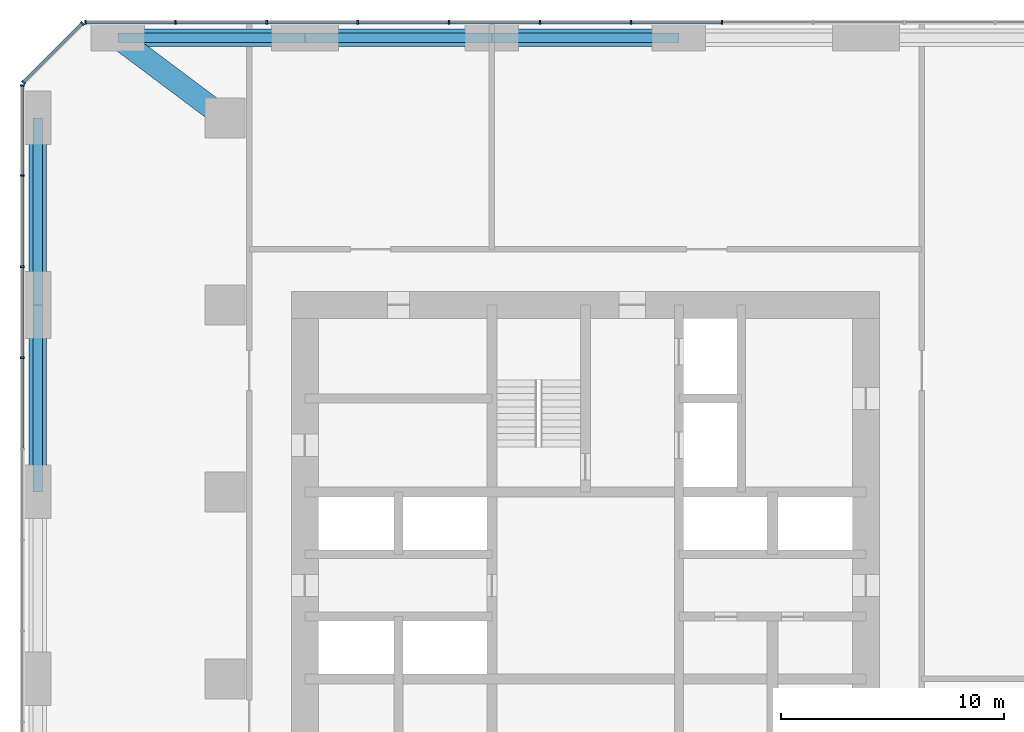
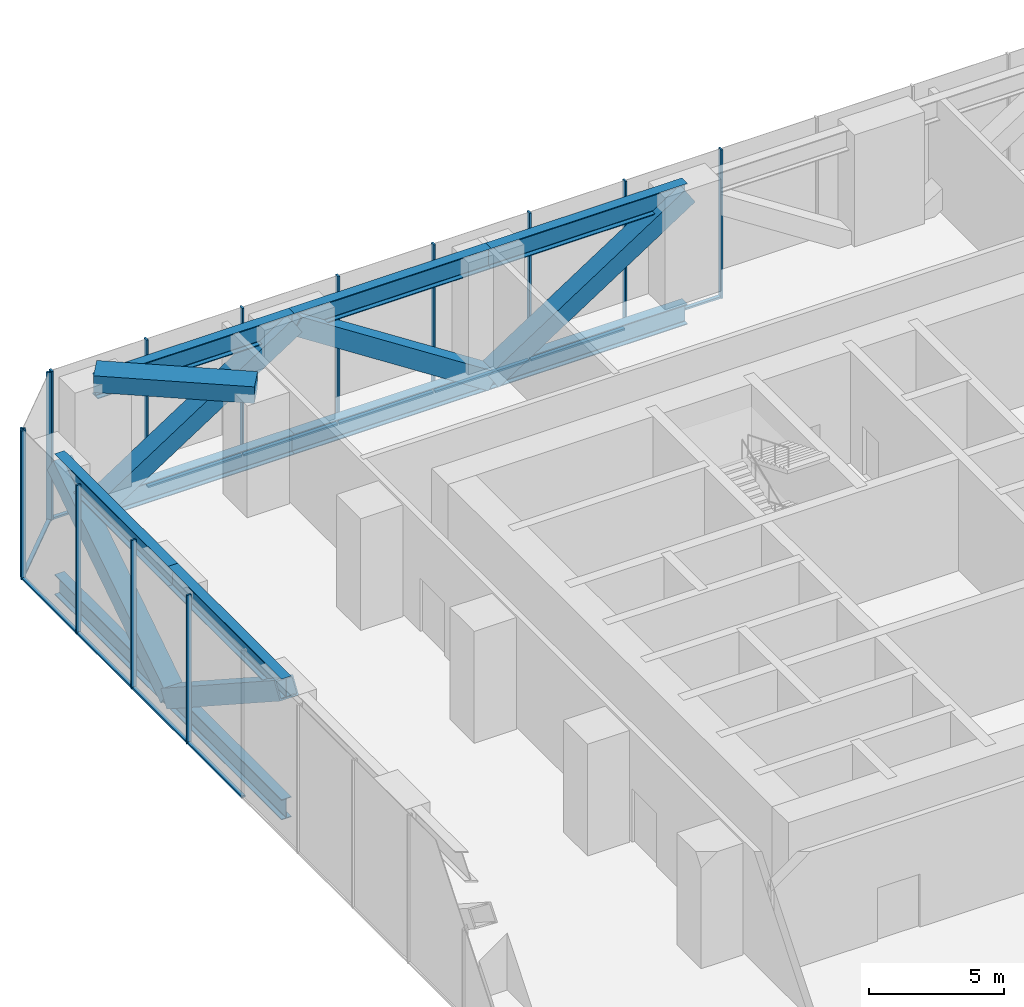
# One storey, part 5 of 10: 41 members, 1 beam, 3 elements without a shape of their own.
"""IFC4 building model written with IfcOpenShell, lengths in metres."""

from ifc_helpers import new_model, si_unit, direction, frame, origin, origin_2d, place, context, subcontext, project, spatial, rectangle, hollow_rectangle, i_section, extrude, material, material_profile, profile_set, type_object, element, aggregate, save


model = new_model("IFC4")

# Units and contexts
model_context = context("Model", 3, precision=1e-05, world=origin(), true_north=direction((0.0, 1.0)))
body_context = subcontext(model_context, "Body", "Model", "MODEL_VIEW")
ifc_project = project(units=[si_unit("LENGTHUNIT", "METRE"), si_unit("AREAUNIT", "SQUARE_METRE"), si_unit("VOLUMEUNIT", "CUBIC_METRE"), si_unit("PLANEANGLEUNIT", "RADIAN"), si_unit("MASSUNIT", "GRAM", prefix="KILO")], contexts=[model_context])

# Site, building, storey
site_placement = place(None, origin())
site = spatial("IfcSite", under=ifc_project, at=site_placement, CompositionType="ELEMENT")
building_placement = place(site_placement, origin())
building = spatial("IfcBuilding", under=site, at=building_placement, Name="Dunama Terrace Hotel", CompositionType="ELEMENT")
storey_placement = place(building_placement, frame((0.0, 0.0, 220.199951171875)))
storey = spatial("IfcBuildingStorey", under=building, at=storey_placement, Name="L57", CompositionType="ELEMENT", Elevation=220.199951171875)

# Members
ifc_material_1 = material(Name="Steel S355", Category="steel")
ifc_material_profile_1 = material_profile(ifc_material_1, hollow_rectangle(XDim=0.800048828125, YDim=0.800048828125, WallThickness=0.06005859375, at=origin_2d()), Name="BOX 800x800x60")
ifc_profile_set_1 = profile_set([ifc_material_profile_1], Name="Steel S355")
member_type_1 = type_object("IfcMemberType", Name="Brace BOX 800x800x60", PredefinedType="BRACE", material=ifc_profile_set_1)
for number, where, z_axis, x_axis, name in (
    (1, (4.800048828125, 42.0, -0.8603515625), (0.0, -0.83889900313, 0.544287114075), (1.0, 0.0, 0.0), "Belt truss diagonal L57"),
    (2, (4.800048828125, 42.0, -0.8603515625), (0.0, 0.83889900313, 0.544287114075), (-1.0, 0.0, 0.0), "Belt truss diagonal L57"),
):
    element("IfcMember", number, at=place(storey_placement, frame(where, z_axis=z_axis, x_axis=x_axis)), inside=storey, type_object=member_type_1, Name=name, PredefinedType="BRACE", context=body_context, shape_type="SweptSolid", body=[
        extrude(hollow_rectangle(XDim=0.800048828125, YDim=0.800048828125, WallThickness=0.06005859375, at=origin_2d()), origin(), (0.0, 0.0, 1.0), 10.012939453125),
    ])
member_1_placement = place(storey_placement, frame((8.39990234375, 54.0, -0.8603515625), z_axis=(0.838906226141, 0.0, 0.544275981229), x_axis=(0.0, 1.0, 0.0)))
element("IfcMember", 3, at=member_1_placement, inside=storey, type_object=member_type_1, Name="Belt truss diagonal L57", PredefinedType="BRACE", context=body_context, shape_type="SweptSolid", body=[
    extrude(hollow_rectangle(XDim=0.800048828125, YDim=0.800048828125, WallThickness=0.06005859375, at=origin_2d()), origin(), (0.0, 0.0, 1.0), 10.01318359375),
])
member_2_placement = place(storey_placement, frame((25.199951171875, 54.0, -0.8603515625), z_axis=(-0.83889900313, 0.0, 0.544287114075), x_axis=(0.0, -1.0, 0.0)))
element("IfcMember", 4, at=member_2_placement, inside=storey, type_object=member_type_1, Name="Belt truss diagonal L57", PredefinedType="BRACE", context=body_context, shape_type="SweptSolid", body=[
    extrude(hollow_rectangle(XDim=0.800048828125, YDim=0.800048828125, WallThickness=0.06005859375, at=origin_2d()), origin(), (0.0, 0.0, 1.0), 10.012939453125),
])
member_3_placement = place(storey_placement, frame((25.199951171875, 54.0, -0.8603515625), z_axis=(0.838906226141, 0.0, 0.544275981229), x_axis=(0.0, 1.0, 0.0)))
element("IfcMember", 5, at=member_3_placement, inside=storey, type_object=member_type_1, Name="Belt truss diagonal L57", PredefinedType="BRACE", context=body_context, shape_type="SweptSolid", body=[
    extrude(hollow_rectangle(XDim=0.800048828125, YDim=0.800048828125, WallThickness=0.06005859375, at=origin_2d()), origin(), (0.0, 0.0, 1.0), 10.01318359375),
])

# Curtain wall, members
ifc_material_2 = material(Name="Aluminium curtain wall system", Category="aluminium")
curtain_wall_type = type_object("IfcCurtainWallType", Name="Plant floor louvred glazing CW-G", PredefinedType="NOTDEFINED", material=ifc_material_2)
curtain_wall_1_placement = place(storey_placement, origin())
curtain_wall_1 = element("IfcCurtainWall", 6, at=curtain_wall_1_placement, inside=storey, type_object=curtain_wall_type, Name="Plant floor louvred glazing CW-G L57", PredefinedType="NOTDEFINED")
ifc_material_3 = material(Name="Aluminium mullion", Category="aluminium")
ifc_material_profile_2 = material_profile(ifc_material_3, rectangle(XDim=0.074951171875, YDim=0.199951171875, at=origin_2d()), Name="CWG MULLION 75X200")
ifc_profile_set_2 = profile_set([ifc_material_profile_2], Name="Aluminium mullion")
member_type_2 = type_object("IfcMemberType", Name="CWG mullion 75x200", PredefinedType="MULLION", material=ifc_profile_set_2)
member_4_placement = place(storey_placement, frame((35.535888671875, 54.699951171875, -1.321044921875), z_axis=(0.0, 0.0, 1.0), x_axis=(-1.0, 0.0, 0.0)))
member_4 = element("IfcMember", 7, at=member_4_placement, type_object=member_type_2, Name="CWG mullion", PredefinedType="MULLION", context=body_context, shape_type="SweptSolid", body=[
    extrude(rectangle(XDim=0.074951171875, YDim=0.199951171875, at=origin_2d()), origin(), (0.0, 0.0, 1.0), 6.72119140625),
])
member_5_placement = place(storey_placement, frame((31.445068359375, 54.699951171875, -1.321044921875), z_axis=(0.0, 0.0, 1.0), x_axis=(-1.0, 0.0, 0.0)))
member_5 = element("IfcMember", 8, at=member_5_placement, type_object=member_type_2, Name="CWG mullion", PredefinedType="MULLION", context=body_context, shape_type="SweptSolid", body=[
    extrude(rectangle(XDim=0.074951171875, YDim=0.199951171875, at=origin_2d()), origin(), (0.0, 0.0, 1.0), 6.72119140625),
])
member_6_placement = place(storey_placement, frame((27.35498046875, 54.699951171875, -1.321044921875), z_axis=(0.0, 0.0, 1.0), x_axis=(-1.0, 0.0, 0.0)))
member_6 = element("IfcMember", 9, at=member_6_placement, type_object=member_type_2, Name="CWG mullion", PredefinedType="MULLION", context=body_context, shape_type="SweptSolid", body=[
    extrude(rectangle(XDim=0.074951171875, YDim=0.199951171875, at=origin_2d()), origin(), (0.0, 0.0, 1.0), 6.72119140625),
])
member_7_placement = place(storey_placement, frame((23.263916015625, 54.699951171875, -1.321044921875), z_axis=(0.0, 0.0, 1.0), x_axis=(-1.0, 0.0, 0.0)))
member_7 = element("IfcMember", 10, at=member_7_placement, type_object=member_type_2, Name="CWG mullion", PredefinedType="MULLION", context=body_context, shape_type="SweptSolid", body=[
    extrude(rectangle(XDim=0.074951171875, YDim=0.199951171875, at=origin_2d()), origin(), (0.0, 0.0, 1.0), 6.72119140625),
])
member_8_placement = place(storey_placement, frame((19.173095703125, 54.699951171875, -1.321044921875), z_axis=(0.0, 0.0, 1.0), x_axis=(-1.0, 0.0, 0.0)))
member_8 = element("IfcMember", 11, at=member_8_placement, type_object=member_type_2, Name="CWG mullion", PredefinedType="MULLION", context=body_context, shape_type="SweptSolid", body=[
    extrude(rectangle(XDim=0.074951171875, YDim=0.199951171875, at=origin_2d()), origin(), (0.0, 0.0, 1.0), 6.72119140625),
])
member_9_placement = place(storey_placement, frame((15.08203125, 54.699951171875, -1.321044921875), z_axis=(0.0, 0.0, 1.0), x_axis=(-1.0, 0.0, 0.0)))
member_9 = element("IfcMember", 12, at=member_9_placement, type_object=member_type_2, Name="CWG mullion", PredefinedType="MULLION", context=body_context, shape_type="SweptSolid", body=[
    extrude(rectangle(XDim=0.074951171875, YDim=0.199951171875, at=origin_2d()), origin(), (0.0, 0.0, 1.0), 6.72119140625),
])
member_10_placement = place(storey_placement, frame((10.990966796875, 54.699951171875, -1.321044921875), z_axis=(0.0, 0.0, 1.0), x_axis=(-1.0, 0.0, 0.0)))
member_10 = element("IfcMember", 13, at=member_10_placement, type_object=member_type_2, Name="CWG mullion", PredefinedType="MULLION", context=body_context, shape_type="SweptSolid", body=[
    extrude(rectangle(XDim=0.074951171875, YDim=0.199951171875, at=origin_2d()), origin(), (0.0, 0.0, 1.0), 6.72119140625),
])
member_11_placement = place(storey_placement, frame((6.93798828125, 54.699951171875, -1.321044921875), z_axis=(0.0, 0.0, 1.0), x_axis=(-1.0, 0.0, 0.0)))
member_11 = element("IfcMember", 14, at=member_11_placement, type_object=member_type_2, Name="CWG mullion", PredefinedType="MULLION", context=body_context, shape_type="SweptSolid", body=[
    extrude(rectangle(XDim=0.074951171875, YDim=0.199951171875, at=origin_2d()), origin(), (0.0, 0.0, 1.0), 6.72119140625),
])

curtain_wall_2_placement = place(storey_placement, origin())
curtain_wall_2 = element("IfcCurtainWall", 15, at=curtain_wall_2_placement, inside=storey, type_object=curtain_wall_type, Name="Plant floor louvred glazing CW-G L57", PredefinedType="NOTDEFINED")
member_12_placement = place(storey_placement, frame((6.802978515625, 54.64404296875, -1.321044921875), z_axis=(0.0, 0.0, 1.0), x_axis=(-0.707106781187, -0.707106781187, 0.0)))
member_12 = element("IfcMember", 16, at=member_12_placement, type_object=member_type_2, Name="CWG mullion", PredefinedType="MULLION", context=body_context, shape_type="SweptSolid", body=[
    extrude(rectangle(XDim=0.074951171875, YDim=0.199951171875, at=origin_2d()), origin(), (0.0, 0.0, 1.0), 6.72119140625),
])
member_13_placement = place(storey_placement, frame((4.156005859375, 51.9970703125, -1.321044921875), z_axis=(0.0, 0.0, 1.0), x_axis=(-0.707106781187, -0.707106781187, 0.0)))
member_13 = element("IfcMember", 17, at=member_13_placement, type_object=member_type_2, Name="CWG mullion", PredefinedType="MULLION", context=body_context, shape_type="SweptSolid", body=[
    extrude(rectangle(XDim=0.074951171875, YDim=0.199951171875, at=origin_2d()), origin(), (0.0, 0.0, 1.0), 6.72119140625),
])

curtain_wall_3_placement = place(storey_placement, origin())
curtain_wall_3 = element("IfcCurtainWall", 18, at=curtain_wall_3_placement, inside=storey, type_object=curtain_wall_type, Name="Plant floor louvred glazing CW-G L57", PredefinedType="NOTDEFINED")
member_14_placement = place(storey_placement, frame((4.10009765625, 51.862060546875, -1.321044921875), z_axis=(0.0, 0.0, 1.0), x_axis=(0.0, -1.0, 0.0)))
member_14 = element("IfcMember", 19, at=member_14_placement, type_object=member_type_2, Name="CWG mullion", PredefinedType="MULLION", context=body_context, shape_type="SweptSolid", body=[
    extrude(rectangle(XDim=0.074951171875, YDim=0.199951171875, at=origin_2d()), origin(), (0.0, 0.0, 1.0), 6.72119140625),
])
member_15_placement = place(storey_placement, frame((4.10009765625, 47.80908203125, -1.321044921875), z_axis=(0.0, 0.0, 1.0), x_axis=(0.0, -1.0, 0.0)))
member_15 = element("IfcMember", 20, at=member_15_placement, type_object=member_type_2, Name="CWG mullion", PredefinedType="MULLION", context=body_context, shape_type="SweptSolid", body=[
    extrude(rectangle(XDim=0.074951171875, YDim=0.199951171875, at=origin_2d()), origin(), (0.0, 0.0, 1.0), 6.72119140625),
])
member_16_placement = place(storey_placement, frame((4.10009765625, 43.718017578125, -1.321044921875), z_axis=(0.0, 0.0, 1.0), x_axis=(0.0, -1.0, 0.0)))
member_16 = element("IfcMember", 21, at=member_16_placement, type_object=member_type_2, Name="CWG mullion", PredefinedType="MULLION", context=body_context, shape_type="SweptSolid", body=[
    extrude(rectangle(XDim=0.074951171875, YDim=0.199951171875, at=origin_2d()), origin(), (0.0, 0.0, 1.0), 6.72119140625),
])
member_17_placement = place(storey_placement, frame((4.10009765625, 39.626953125, -1.321044921875), z_axis=(0.0, 0.0, 1.0), x_axis=(0.0, -1.0, 0.0)))
member_17 = element("IfcMember", 22, at=member_17_placement, type_object=member_type_2, Name="CWG mullion", PredefinedType="MULLION", context=body_context, shape_type="SweptSolid", body=[
    extrude(rectangle(XDim=0.074951171875, YDim=0.199951171875, at=origin_2d()), origin(), (0.0, 0.0, 1.0), 6.72119140625),
])

# Member
ifc_material_4 = material(Name="Aluminium transom", Category="aluminium")
ifc_material_profile_3 = material_profile(ifc_material_4, rectangle(XDim=0.159912109375, YDim=0.0849609375, at=origin_2d()), Name="CWG TRANSOM 160X85")
ifc_profile_set_3 = profile_set([ifc_material_profile_3], Name="Aluminium transom")
member_type_3 = type_object("IfcMemberType", Name="CWG transom 160x85", PredefinedType="USERDEFINED", material=ifc_profile_set_3)
member_18_placement = place(storey_placement, frame((35.4990234375, 54.699951171875, -1.278564453125), z_axis=(-1.0, 0.0, 0.0), x_axis=(0.0, -1.0, 0.0)))
member_18 = element("IfcMember", 23, at=member_18_placement, type_object=member_type_3, Name="CWG transom", ObjectType="TRANSOM", PredefinedType="USERDEFINED", context=body_context, shape_type="SweptSolid", body=[
    extrude(rectangle(XDim=0.159912109375, YDim=0.0849609375, at=origin_2d()), origin(), (0.0, 0.0, 1.0), 4.01611328125),
])

member_19_placement = place(storey_placement, frame((31.407958984375, 54.699951171875, -1.278564453125), z_axis=(-1.0, 0.0, 0.0), x_axis=(0.0, -1.0, 0.0)))
member_19 = element("IfcMember", 24, at=member_19_placement, type_object=member_type_3, Name="CWG transom", ObjectType="TRANSOM", PredefinedType="USERDEFINED", context=body_context, shape_type="SweptSolid", body=[
    extrude(rectangle(XDim=0.159912109375, YDim=0.0849609375, at=origin_2d()), origin(), (0.0, 0.0, 1.0), 4.015869140625),
])

member_20_placement = place(storey_placement, frame((27.31689453125, 54.699951171875, -1.278564453125), z_axis=(-1.0, 0.0, 0.0), x_axis=(0.0, -1.0, 0.0)))
member_20 = element("IfcMember", 25, at=member_20_placement, type_object=member_type_3, Name="CWG transom", ObjectType="TRANSOM", PredefinedType="USERDEFINED", context=body_context, shape_type="SweptSolid", body=[
    extrude(rectangle(XDim=0.159912109375, YDim=0.0849609375, at=origin_2d()), origin(), (0.0, 0.0, 1.0), 4.015869140625),
])

member_21_placement = place(storey_placement, frame((23.22607421875, 54.699951171875, -1.278564453125), z_axis=(-1.0, 0.0, 0.0), x_axis=(0.0, -1.0, 0.0)))
member_21 = element("IfcMember", 26, at=member_21_placement, type_object=member_type_3, Name="CWG transom", ObjectType="TRANSOM", PredefinedType="USERDEFINED", context=body_context, shape_type="SweptSolid", body=[
    extrude(rectangle(XDim=0.159912109375, YDim=0.0849609375, at=origin_2d()), origin(), (0.0, 0.0, 1.0), 4.01611328125),
])

member_22_placement = place(storey_placement, frame((19.135009765625, 54.699951171875, -1.278564453125), z_axis=(-1.0, 0.0, 0.0), x_axis=(0.0, -1.0, 0.0)))
member_22 = element("IfcMember", 27, at=member_22_placement, type_object=member_type_3, Name="CWG transom", ObjectType="TRANSOM", PredefinedType="USERDEFINED", context=body_context, shape_type="SweptSolid", body=[
    extrude(rectangle(XDim=0.159912109375, YDim=0.0849609375, at=origin_2d()), origin(), (0.0, 0.0, 1.0), 4.01611328125),
])

member_23_placement = place(storey_placement, frame((15.0439453125, 54.699951171875, -1.278564453125), z_axis=(-1.0, 0.0, 0.0), x_axis=(0.0, -1.0, 0.0)))
member_23 = element("IfcMember", 28, at=member_23_placement, type_object=member_type_3, Name="CWG transom", ObjectType="TRANSOM", PredefinedType="USERDEFINED", context=body_context, shape_type="SweptSolid", body=[
    extrude(rectangle(XDim=0.159912109375, YDim=0.0849609375, at=origin_2d()), origin(), (0.0, 0.0, 1.0), 4.015869140625),
])

member_24_placement = place(storey_placement, frame((10.952880859375, 54.699951171875, -1.278564453125), z_axis=(-1.0, 0.0, 0.0), x_axis=(0.0, -1.0, 0.0)))
member_24 = element("IfcMember", 29, at=member_24_placement, type_object=member_type_3, Name="CWG transom", ObjectType="TRANSOM", PredefinedType="USERDEFINED", context=body_context, shape_type="SweptSolid", body=[
    extrude(rectangle(XDim=0.159912109375, YDim=0.0849609375, at=origin_2d()), origin(), (0.0, 0.0, 1.0), 3.977783203125),
])

aggregate(curtain_wall_1, [member_4, member_5, member_6, member_7, member_8, member_9, member_10, member_11, member_18, member_19, member_20, member_21, member_22, member_23, member_24])

member_25_placement = place(storey_placement, frame((6.77587890625, 54.617919921875, -1.278564453125), z_axis=(-0.707106781187, -0.707106781187, 0.0), x_axis=(0.707106781187, -0.707106781187, 0.0)))
member_25 = element("IfcMember", 30, at=member_25_placement, type_object=member_type_3, Name="CWG transom", ObjectType="TRANSOM", PredefinedType="USERDEFINED", context=body_context, shape_type="SweptSolid", body=[
    extrude(rectangle(XDim=0.159912109375, YDim=0.0849609375, at=origin_2d()), origin(), (0.0, 0.0, 1.0), 3.66845703125),
])

aggregate(curtain_wall_2, [member_12, member_13, member_25])

member_26_placement = place(storey_placement, frame((4.10009765625, 51.824951171875, -1.278564453125), z_axis=(0.0, -1.0, 0.0), x_axis=(1.0, 0.0, 0.0)))
member_26 = element("IfcMember", 31, at=member_26_placement, type_object=member_type_3, Name="CWG transom", ObjectType="TRANSOM", PredefinedType="USERDEFINED", context=body_context, shape_type="SweptSolid", body=[
    extrude(rectangle(XDim=0.159912109375, YDim=0.0849609375, at=origin_2d()), origin(), (0.0, 0.0, 1.0), 3.97802734375),
])

member_27_placement = place(storey_placement, frame((4.10009765625, 47.77197265625, -1.278564453125), z_axis=(0.0, -1.0, 0.0), x_axis=(1.0, 0.0, 0.0)))
member_27 = element("IfcMember", 32, at=member_27_placement, type_object=member_type_3, Name="CWG transom", ObjectType="TRANSOM", PredefinedType="USERDEFINED", context=body_context, shape_type="SweptSolid", body=[
    extrude(rectangle(XDim=0.159912109375, YDim=0.0849609375, at=origin_2d()), origin(), (0.0, 0.0, 1.0), 4.015869140625),
])

member_28_placement = place(storey_placement, frame((4.10009765625, 43.680908203125, -1.278564453125), z_axis=(0.0, -1.0, 0.0), x_axis=(1.0, 0.0, 0.0)))
member_28 = element("IfcMember", 33, at=member_28_placement, type_object=member_type_3, Name="CWG transom", ObjectType="TRANSOM", PredefinedType="USERDEFINED", context=body_context, shape_type="SweptSolid", body=[
    extrude(rectangle(XDim=0.159912109375, YDim=0.0849609375, at=origin_2d()), origin(), (0.0, 0.0, 1.0), 4.015869140625),
])

member_29_placement = place(storey_placement, frame((4.10009765625, 39.590087890625, -1.278564453125), z_axis=(0.0, -1.0, 0.0), x_axis=(1.0, 0.0, 0.0)))
member_29 = element("IfcMember", 34, at=member_29_placement, type_object=member_type_3, Name="CWG transom", ObjectType="TRANSOM", PredefinedType="USERDEFINED", context=body_context, shape_type="SweptSolid", body=[
    extrude(rectangle(XDim=0.159912109375, YDim=0.0849609375, at=origin_2d()), origin(), (0.0, 0.0, 1.0), 4.01611328125),
])

aggregate(curtain_wall_3, [member_14, member_15, member_16, member_17, member_26, member_27, member_28, member_29])

# Beam
ifc_material_5 = material(Name="Concrete C50/60", Category="concrete")
ifc_material_profile_4 = material_profile(ifc_material_5, rectangle(XDim=1.0, YDim=0.75, at=origin_2d()), Name="RC 1000x750")
ifc_profile_set_4 = profile_set([ifc_material_profile_4], Name="Concrete C50/60")
beam_type = type_object("IfcBeamType", Name="Edge beam RC 1000x750", PredefinedType="SPANDREL", material=ifc_profile_set_4)
beam_placement = place(storey_placement, frame((8.39990234375, 54.0, 5.025146484375), z_axis=(0.79999511724, -0.600006510291, 0.0), x_axis=(0.600006510291, 0.79999511724, 0.0)))
element("IfcBeam", 35, at=beam_placement, inside=storey, type_object=beam_type, Name="Corner edge beam under L58", PredefinedType="SPANDREL", context=body_context, shape_type="SweptSolid", body=[
    extrude(rectangle(XDim=1.0, YDim=0.75, at=origin_2d()), origin(), (0.0, 0.0, 1.0), 6.0),
])

# Members
ifc_material_6 = material(Name="Steel S355", Category="steel")
ifc_material_profile_5 = material_profile(ifc_material_6, i_section(OverallWidth=0.42041015625, OverallDepth=0.9208984375, WebThickness=0.021484375, FlangeThickness=0.03662109375, FilletRadius=0.024169921875, at=origin_2d()), Name="UB 914x419x388")
ifc_profile_set_5 = profile_set([ifc_material_profile_5], Name="Steel S355")
member_type_4 = type_object("IfcMemberType", Name="Truss member UB 914x419x388", PredefinedType="CHORD", material=ifc_profile_set_5)
for number, where, z_axis, x_axis, name in (
    (36, (4.800048828125, 33.60009765625, 4.589599609375), (0.0, 1.0, 0.0), (-1.0, 0.0, 0.0), "Belt truss top chord L57"),
    (37, (4.800048828125, 33.60009765625, -0.8603515625), (0.0, 1.0, 0.0), (-1.0, 0.0, 0.0), "Belt truss bottom chord L57"),
    (38, (4.800048828125, 42.0, 4.589599609375), (0.0, 1.0, 0.0), (-1.0, 0.0, 0.0), "Belt truss top chord L57"),
    (39, (4.800048828125, 42.0, -0.8603515625), (0.0, 1.0, 0.0), (-1.0, 0.0, 0.0), "Belt truss bottom chord L57"),
):
    element("IfcMember", number, at=place(storey_placement, frame(where, z_axis=z_axis, x_axis=x_axis)), inside=storey, type_object=member_type_4, Name=name, PredefinedType="CHORD", context=body_context, shape_type="SweptSolid", body=[
        extrude(i_section(OverallWidth=0.42041015625, OverallDepth=0.9208984375, WebThickness=0.021484375, FlangeThickness=0.03662109375, FilletRadius=0.024169921875, at=origin_2d()), origin(), (0.0, 0.0, 1.0), 8.39990234375),
    ])
for number, where, z_axis, x_axis, name in (
    (40, (8.39990234375, 54.0, 4.589599609375), (1.0, 0.0, 0.0), (0.0, 1.0, 0.0), "Belt truss top chord L57"),
    (41, (8.39990234375, 54.0, -0.8603515625), (1.0, 0.0, 0.0), (0.0, 1.0, 0.0), "Belt truss bottom chord L57"),
):
    element("IfcMember", number, at=place(storey_placement, frame(where, z_axis=z_axis, x_axis=x_axis)), inside=storey, type_object=member_type_4, Name=name, PredefinedType="CHORD", context=body_context, shape_type="SweptSolid", body=[
        extrude(i_section(OverallWidth=0.42041015625, OverallDepth=0.9208984375, WebThickness=0.021484375, FlangeThickness=0.03662109375, FilletRadius=0.024169921875, at=origin_2d()), origin(), (0.0, 0.0, 1.0), 8.400146484375),
    ])
for number, where, z_axis, x_axis, name in (
    (42, (16.800048828125, 54.0, 4.589599609375), (1.0, 0.0, 0.0), (0.0, 1.0, 0.0), "Belt truss top chord L57"),
    (43, (16.800048828125, 54.0, -0.8603515625), (1.0, 0.0, 0.0), (0.0, 1.0, 0.0), "Belt truss bottom chord L57"),
):
    element("IfcMember", number, at=place(storey_placement, frame(where, z_axis=z_axis, x_axis=x_axis)), inside=storey, type_object=member_type_4, Name=name, PredefinedType="CHORD", context=body_context, shape_type="SweptSolid", body=[
        extrude(i_section(OverallWidth=0.42041015625, OverallDepth=0.9208984375, WebThickness=0.021484375, FlangeThickness=0.03662109375, FilletRadius=0.024169921875, at=origin_2d()), origin(), (0.0, 0.0, 1.0), 8.39990234375),
    ])
for number, where, z_axis, x_axis, name in (
    (44, (25.199951171875, 54.0, 4.589599609375), (1.0, 0.0, 0.0), (0.0, 1.0, 0.0), "Belt truss top chord L57"),
    (45, (25.199951171875, 54.0, -0.8603515625), (1.0, 0.0, 0.0), (0.0, 1.0, 0.0), "Belt truss bottom chord L57"),
):
    element("IfcMember", number, at=place(storey_placement, frame(where, z_axis=z_axis, x_axis=x_axis)), inside=storey, type_object=member_type_4, Name=name, PredefinedType="CHORD", context=body_context, shape_type="SweptSolid", body=[
        extrude(i_section(OverallWidth=0.42041015625, OverallDepth=0.9208984375, WebThickness=0.021484375, FlangeThickness=0.03662109375, FilletRadius=0.024169921875, at=origin_2d()), origin(), (0.0, 0.0, 1.0), 8.400146484375),
    ])

save(model, "model.ifc")
